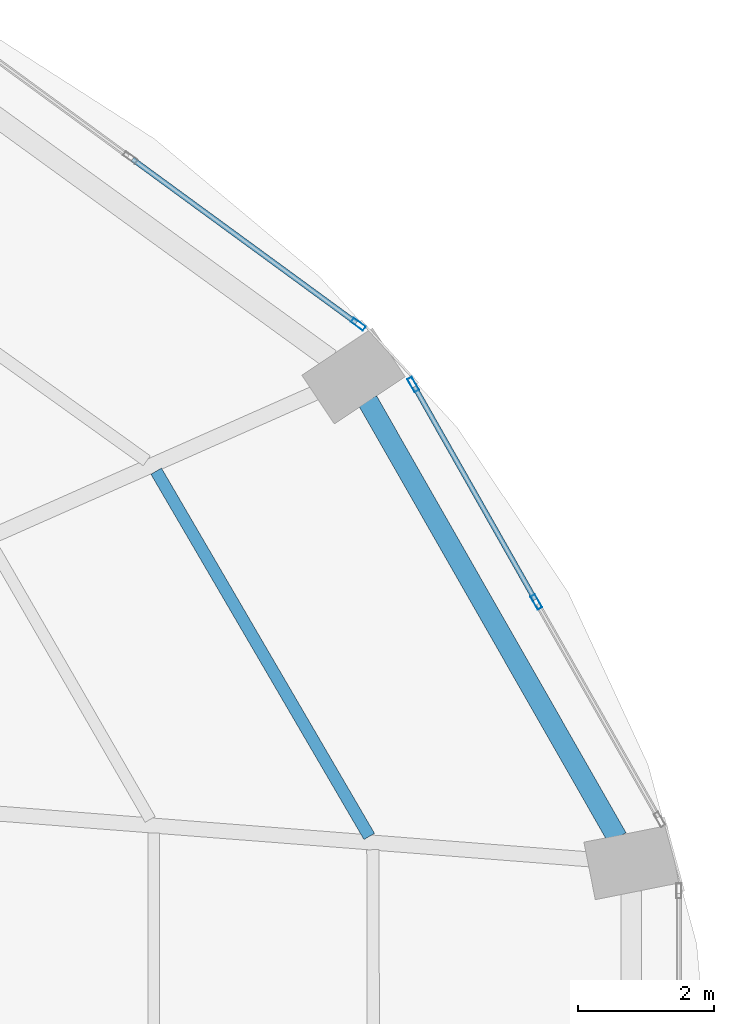
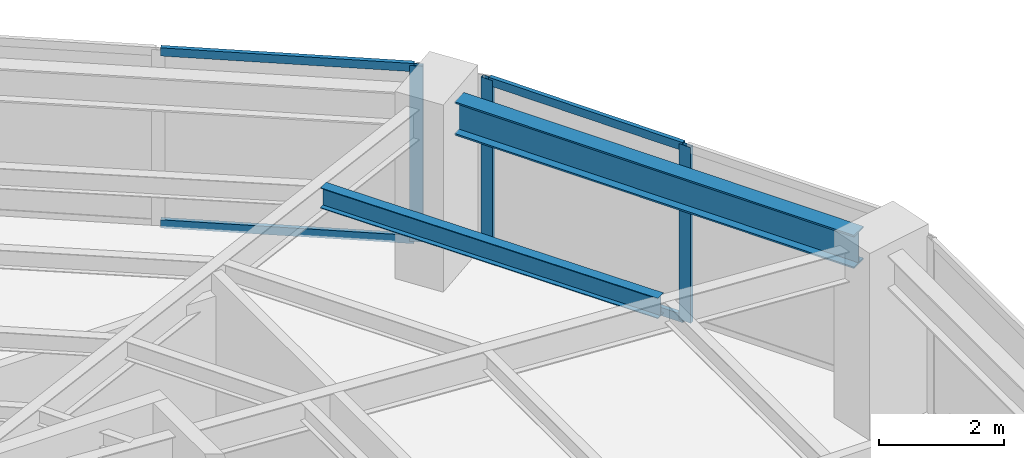
# One storey, part 19 of 25: 7 members, 2 beams, 2 elements without a shape of their own.
"""IFC4 building model written with IfcOpenShell, lengths in metres."""

from ifc_helpers import new_model, si_unit, direction, frame, origin, origin_2d, place, context, subcontext, project, spatial, hollow_rectangle, i_section, extrude, material, layer, layer_set, material_profile, profile_set, type_object, element, aggregate, save


model = new_model("IFC4")

# Units and contexts
model_context = context("Model", 3, precision=1e-05, world=origin(), true_north=direction((0.0, 1.0)))
body_context = subcontext(model_context, "Body", "Model", "MODEL_VIEW")
ifc_project = project(units=[si_unit("LENGTHUNIT", "METRE"), si_unit("AREAUNIT", "SQUARE_METRE"), si_unit("VOLUMEUNIT", "CUBIC_METRE"), si_unit("PLANEANGLEUNIT", "RADIAN"), si_unit("MASSUNIT", "GRAM", prefix="KILO")], contexts=[model_context])

# Site, building, storey
site_placement = place(None, origin())
site = spatial("IfcSite", under=ifc_project, at=site_placement, CompositionType="ELEMENT")
building_placement = place(site_placement, origin())
building = spatial("IfcBuilding", under=site, at=building_placement, Name="Lazwardi Medical Tower", CompositionType="ELEMENT")
storey_placement = place(building_placement, frame((0.0, 0.0, 43.43994140625)))
storey = spatial("IfcBuildingStorey", under=building, at=storey_placement, Name="L10", CompositionType="ELEMENT", Elevation=43.43994140625)

# Beams
ifc_material_1 = material(Name="Steel S355", Category="steel")
ifc_material_profile_1 = material_profile(ifc_material_1, i_section(OverallWidth=0.300048828125, OverallDepth=0.64990234375, WebThickness=0.01611328125, FlangeThickness=0.031005859375, at=origin_2d()), Name="HEB 650")
ifc_profile_set_1 = profile_set([ifc_material_profile_1], Name="Steel S355")
beam_type_1 = type_object("IfcBeamType", Name="BM-RB-Z1", PredefinedType="BEAM", material=ifc_profile_set_1)
beam_1_placement = place(storey_placement, frame((62.591796875, 34.63232421875, 3.10302734375), z_axis=(-0.49581512241, 0.868428099724, 0.0), x_axis=(-0.868428099724, -0.49581512241, 0.0)))
element("IfcBeam", 1, at=beam_1_placement, inside=storey, type_object=beam_type_1, Name="Ring beam RB-02 B05 L10", PredefinedType="BEAM", context=body_context, shape_type="SweptSolid", body=[
    extrude(i_section(OverallWidth=0.300048828125, OverallDepth=0.64990234375, WebThickness=0.01611328125, FlangeThickness=0.031005859375, at=origin_2d()), origin(), (0.0, 0.0, 1.0), 7.389404296875),
])
ifc_material_profile_2 = material_profile(ifc_material_1, i_section(OverallWidth=0.179931640625, OverallDepth=0.39990234375, WebThickness=0.008544921875, FlangeThickness=0.013427734375, at=origin_2d()), Name="IPE 400")
ifc_profile_set_2 = profile_set([ifc_material_profile_2], Name="Steel S355")
beam_type_2 = type_object("IfcBeamType", Name="BM-SJ-01", PredefinedType="JOIST", material=ifc_profile_set_2)
beam_2_placement = place(storey_placement, frame((58.951171875, 34.65234375, 3.22802734375), z_axis=(-0.503846579557, 0.863793160582, 0.0), x_axis=(-0.863793160582, -0.503846579557, 0.0)))
element("IfcBeam", 2, at=beam_2_placement, inside=storey, type_object=beam_type_2, Name="Secondary joist SJ-01 R1 B05 L10", PredefinedType="JOIST", context=body_context, shape_type="SweptSolid", body=[
    extrude(i_section(OverallWidth=0.179931640625, OverallDepth=0.39990234375, WebThickness=0.008544921875, FlangeThickness=0.013427734375, at=origin_2d()), origin(), (0.0, 0.0, 1.0), 6.20947265625),
])

# Curtain wall, members
ifc_material_2 = material(Name="Anodised bronze aluminium and solar control glazing", Category="aluminium")
ifc_layer = layer(ifc_material_2, 0.199951171875)
ifc_layer_set = layer_set([ifc_layer], Name="Anodised bronze aluminium and solar control glazing")
curtain_wall_type = type_object("IfcCurtainWallType", Name="CW-SYS-02", PredefinedType="NOTDEFINED", material=ifc_layer_set)
curtain_wall_1_placement = place(storey_placement, origin())
curtain_wall_1 = element("IfcCurtainWall", 3, at=curtain_wall_1_placement, inside=storey, type_object=curtain_wall_type, Name="L10 Unitised bronze curtain wall CW-02", PredefinedType="NOTDEFINED")
ifc_material_3 = material(Name="Anodised bronze aluminium", Category="aluminium")
ifc_material_profile_3 = material_profile(ifc_material_3, hollow_rectangle(XDim=0.074951171875, YDim=0.219970703125, WallThickness=0.00390625, at=origin_2d()), Name="ALU-MULLION 220x75x4")
ifc_profile_set_3 = profile_set([ifc_material_profile_3], Name="Anodised bronze aluminium")
member_type_1 = type_object("IfcMemberType", Name="CW-MUL-01", PredefinedType="MULLION", material=ifc_profile_set_3)
member_1_placement = place(storey_placement, frame((61.4052734375, 38.095458984375, 0.0), z_axis=(0.0, 0.0, 1.0), x_axis=(-0.870111838823, -0.492854327303, 0.0)))
member_1 = element("IfcMember", 4, at=member_1_placement, type_object=member_type_1, Name="CW-02 mullion 2", PredefinedType="MULLION", context=body_context, shape_type="SweptSolid", body=[
    extrude(hollow_rectangle(XDim=0.074951171875, YDim=0.219970703125, WallThickness=0.00390625, at=origin_2d()), origin(), (0.0, 0.0, 1.0), 3.427978515625),
])
member_2_placement = place(storey_placement, frame((59.5966796875, 41.28857421875, 0.0), z_axis=(0.0, 0.0, 1.0), x_axis=(-0.870111838823, -0.492854327303, 0.0)))
member_2 = element("IfcMember", 5, at=member_2_placement, type_object=member_type_1, Name="CW-02 mullion 3", PredefinedType="MULLION", context=body_context, shape_type="SweptSolid", body=[
    extrude(hollow_rectangle(XDim=0.074951171875, YDim=0.219970703125, WallThickness=0.00390625, at=origin_2d()), origin(), (0.0, 0.0, 1.0), 3.427978515625),
])

# Curtain wall, member
curtain_wall_2_placement = place(storey_placement, origin())
curtain_wall_2 = element("IfcCurtainWall", 6, at=curtain_wall_2_placement, inside=storey, type_object=curtain_wall_type, Name="L10 Unitised bronze curtain wall CW-02", PredefinedType="NOTDEFINED")
member_3_placement = place(storey_placement, frame((58.790283203125, 42.172607421875, 0.0), z_axis=(0.0, 0.0, 1.0), x_axis=(-0.590289307341, -0.807191757663, 0.0)))
member_3 = element("IfcMember", 7, at=member_3_placement, type_object=member_type_1, Name="CW-02 mullion 1", PredefinedType="MULLION", context=body_context, shape_type="SweptSolid", body=[
    extrude(hollow_rectangle(XDim=0.074951171875, YDim=0.219970703125, WallThickness=0.00390625, at=origin_2d()), origin(), (0.0, 0.0, 1.0), 3.427978515625),
])

# Member
ifc_material_profile_4 = material_profile(ifc_material_3, hollow_rectangle(XDim=0.074951171875, YDim=0.159912109375, WallThickness=0.00390625, at=origin_2d()), Name="ALU-TRANSOM 160x75x4")
ifc_profile_set_4 = profile_set([ifc_material_profile_4], Name="Anodised bronze aluminium")
member_type_2 = type_object("IfcMemberType", Name="CW-TRN-01", PredefinedType="USERDEFINED", material=ifc_profile_set_4)
member_4_placement = place(storey_placement, frame((61.386962890625, 38.128173828125, 0.03759765625), z_axis=(-0.492880614687, 0.870096948429, 0.0), x_axis=(-0.870096948429, -0.492880614687, 0.0)))
member_4 = element("IfcMember", 8, at=member_4_placement, type_object=member_type_2, Name="CW-02 transom 2.1", ObjectType="TRANSOM", PredefinedType="USERDEFINED", context=body_context, shape_type="SweptSolid", body=[
    extrude(hollow_rectangle(XDim=0.074951171875, YDim=0.159912109375, WallThickness=0.00390625, at=origin_2d()), origin(), (0.0, 0.0, 1.0), 3.5947265625),
])

member_5_placement = place(storey_placement, frame((61.386962890625, 38.128173828125, 3.390625), z_axis=(-0.492880614687, 0.870096948429, 0.0), x_axis=(-0.870096948429, -0.492880614687, 0.0)))
member_5 = element("IfcMember", 9, at=member_5_placement, type_object=member_type_2, Name="CW-02 transom 2.2", ObjectType="TRANSOM", PredefinedType="USERDEFINED", context=body_context, shape_type="SweptSolid", body=[
    extrude(hollow_rectangle(XDim=0.074951171875, YDim=0.159912109375, WallThickness=0.00390625, at=origin_2d()), origin(), (0.0, 0.0, 1.0), 3.5947265625),
])

aggregate(curtain_wall_1, [member_1, member_2, member_4, member_5])

member_6_placement = place(storey_placement, frame((58.760009765625, 42.194580078125, 0.03759765625), z_axis=(-0.807189956199, 0.590291770748, 0.0), x_axis=(-0.590291770748, -0.807189956199, 0.0)))
member_6 = element("IfcMember", 10, at=member_6_placement, type_object=member_type_2, Name="CW-02 transom 1.1", ObjectType="TRANSOM", PredefinedType="USERDEFINED", context=body_context, shape_type="SweptSolid", body=[
    extrude(hollow_rectangle(XDim=0.074951171875, YDim=0.159912109375, WallThickness=0.00390625, at=origin_2d()), origin(), (0.0, 0.0, 1.0), 4.070068359375),
])

member_7_placement = place(storey_placement, frame((58.760009765625, 42.194580078125, 3.390625), z_axis=(-0.807189956199, 0.590291770748, 0.0), x_axis=(-0.590291770748, -0.807189956199, 0.0)))
member_7 = element("IfcMember", 11, at=member_7_placement, type_object=member_type_2, Name="CW-02 transom 1.2", ObjectType="TRANSOM", PredefinedType="USERDEFINED", context=body_context, shape_type="SweptSolid", body=[
    extrude(hollow_rectangle(XDim=0.074951171875, YDim=0.159912109375, WallThickness=0.00390625, at=origin_2d()), origin(), (0.0, 0.0, 1.0), 4.070068359375),
])

aggregate(curtain_wall_2, [member_3, member_6, member_7])

save(model, "model.ifc")
